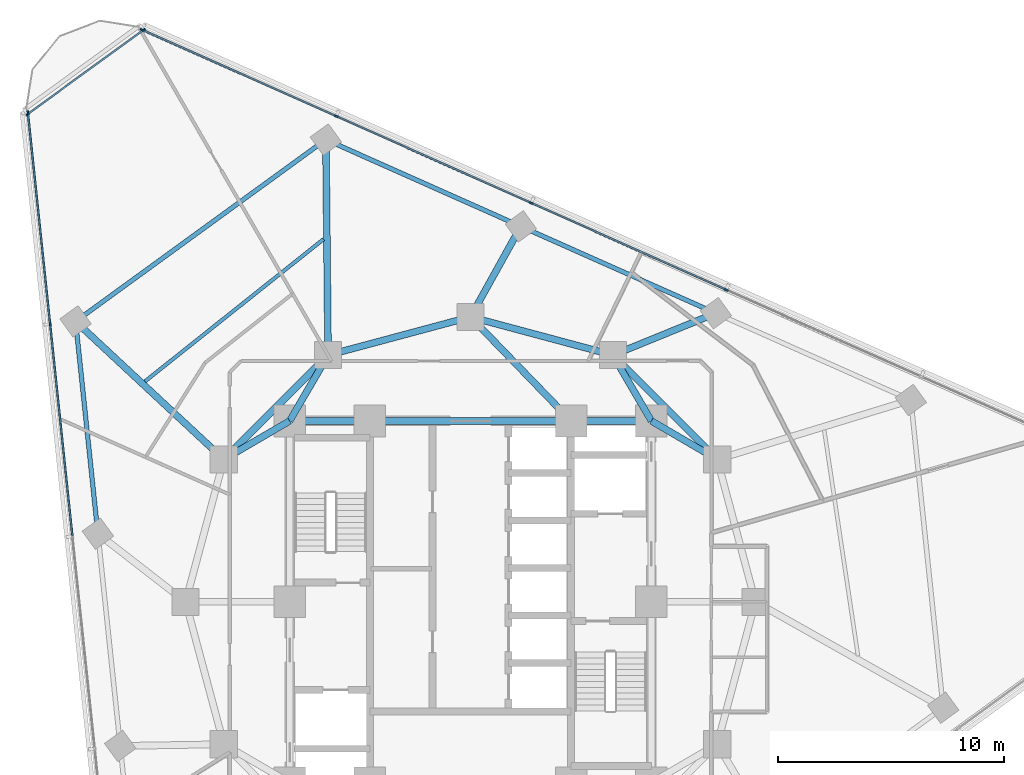
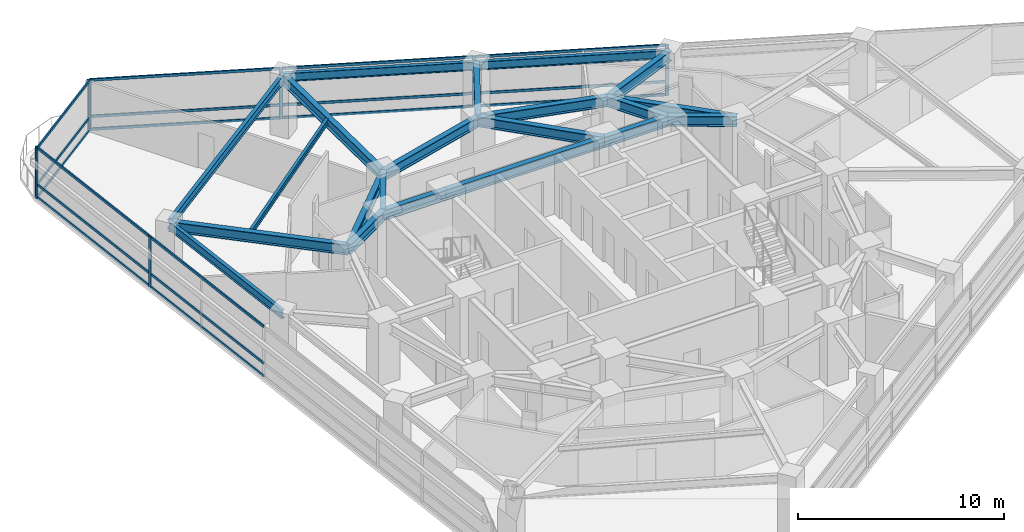
# One storey, part 5 of 14: 26 members, 21 beams, 3 elements without a shape of their own.
"""IFC4 building model written with IfcOpenShell, lengths in metres."""

from ifc_helpers import new_model, si_unit, direction, frame, origin, origin_2d, place, context, subcontext, project, spatial, rectangle, i_section, extrude, material, layer, layer_set, material_profile, profile_set, type_object, element, aggregate, save


model = new_model("IFC4")

# Units and contexts
model_context = context("Model", 3, precision=1e-05, world=origin(), true_north=direction((0.0, 1.0)))
body_context = subcontext(model_context, "Body", "Model", "MODEL_VIEW")
ifc_project = project(units=[si_unit("LENGTHUNIT", "METRE"), si_unit("AREAUNIT", "SQUARE_METRE"), si_unit("VOLUMEUNIT", "CUBIC_METRE"), si_unit("PLANEANGLEUNIT", "RADIAN"), si_unit("MASSUNIT", "GRAM", prefix="KILO")], contexts=[model_context])

# Site, building, storey
site_placement = place(None, origin())
site = spatial("IfcSite", under=ifc_project, at=site_placement, CompositionType="ELEMENT")
building_placement = place(site_placement, origin())
building = spatial("IfcBuilding", under=site, at=building_placement, Name="Terralouvre Media Tower", CompositionType="ELEMENT")
storey_placement = place(building_placement, frame((0.0, 0.0, 154.60009765625)))
storey = spatial("IfcBuildingStorey", under=building, at=storey_placement, Name="L39", CompositionType="ELEMENT", Elevation=154.60009765625)

# Beam
ifc_material_1 = material(Name="Structural steel S355J2", Category="steel")
ifc_material_profile_1 = material_profile(ifc_material_1, i_section(OverallWidth=0.159912109375, OverallDepth=0.330078125, WebThickness=0.007568359375, FlangeThickness=0.011474609375, at=origin_2d()), Name="IPE 330")
ifc_profile_set_1 = profile_set([ifc_material_profile_1], Name="Structural steel S355J2")
beam_type_1 = type_object("IfcBeamType", Name="Composite Floor Joist J-IPE330 (IPE 330)", PredefinedType="JOIST", material=ifc_profile_set_1)
beam_1_placement = place(storey_placement, frame((-6.500732421875, 16.037841796875, 3.3349609375), z_axis=(-0.782373963914, -0.622808943891, 0.0), x_axis=(0.622808943891, -0.782373963914, 0.0)))
element("IfcBeam", 1, at=beam_1_placement, inside=storey, type_object=beam_type_1, Name="L39 Framing Beam JT-L39-05", PredefinedType="JOIST", context=body_context, shape_type="SweptSolid", body=[
    extrude(i_section(OverallWidth=0.159912109375, OverallDepth=0.330078125, WebThickness=0.007568359375, FlangeThickness=0.011474609375, at=origin_2d()), origin(), (0.0, 0.0, 1.0), 10.0966796875),
])

# Curtain wall, members
ifc_material_2 = material(Name="Low-iron laminated double glazing with solar-control coating", Category="glass")
ifc_layer_1 = layer(ifc_material_2, 0.1650390625, Name="Production Studio Tower Curtain Wall CW-03")
ifc_layer_set_1 = layer_set([ifc_layer_1], Name="Low-iron laminated double glazing with solar-control coating")
curtain_wall_type_1 = type_object("IfcCurtainWallType", Name="Production Studio Tower Curtain Wall CW-03", PredefinedType="NOTDEFINED", material=ifc_layer_set_1)
curtain_wall_1_placement = place(storey_placement, origin())
curtain_wall_1 = element("IfcCurtainWall", 2, at=curtain_wall_1_placement, inside=storey, type_object=curtain_wall_type_1, Name="L39 Facade Curtain Wall F1", PredefinedType="NOTDEFINED")
ifc_material_3 = material(Name="Anodised extruded aluminium 6063-T6", Category="aluminium")
ifc_material_profile_2 = material_profile(ifc_material_3, rectangle(XDim=0.074951171875, YDim=0.14990234375, at=origin_2d()), Name="ALU 75x150")
ifc_profile_set_2 = profile_set([ifc_material_profile_2], Name="Anodised extruded aluminium 6063-T6")
member_type_1 = type_object("IfcMemberType", Name="Curtain-Wall Horizontal Transom TR-150", PredefinedType="USERDEFINED", material=ifc_profile_set_2)
member_1_placement = place(storey_placement, frame((11.27587890625, 13.8134765625, 0.037353515625), z_axis=(-0.913546899195, 0.40673340528, 0.0), x_axis=(-0.40673340528, -0.913546899195, 0.0)))
member_1 = element("IfcMember", 3, at=member_1_placement, type_object=member_type_1, Name="CW-03 transom 3.1", ObjectType="TRANSOM", PredefinedType="USERDEFINED", context=body_context, shape_type="SweptSolid", body=[
    extrude(rectangle(XDim=0.074951171875, YDim=0.14990234375, at=origin_2d()), origin(), (0.0, 0.0, 1.0), 9.364990234375),
])
member_2_placement = place(storey_placement, frame((11.27587890625, 13.8134765625, 0.7998046875), z_axis=(-0.913546899195, 0.40673340528, 0.0), x_axis=(-0.40673340528, -0.913546899195, 0.0)))
member_2 = element("IfcMember", 4, at=member_2_placement, type_object=member_type_1, Name="CW-03 transom 3.2", ObjectType="TRANSOM", PredefinedType="USERDEFINED", context=body_context, shape_type="SweptSolid", body=[
    extrude(rectangle(XDim=0.074951171875, YDim=0.14990234375, at=origin_2d()), origin(), (0.0, 0.0, 1.0), 9.364990234375),
])
member_3_placement = place(storey_placement, frame((11.27587890625, 13.8134765625, 2.96240234375), z_axis=(-0.913546899195, 0.40673340528, 0.0), x_axis=(-0.40673340528, -0.913546899195, 0.0)))
member_3 = element("IfcMember", 5, at=member_3_placement, type_object=member_type_1, Name="CW-03 transom 3.3", ObjectType="TRANSOM", PredefinedType="USERDEFINED", context=body_context, shape_type="SweptSolid", body=[
    extrude(rectangle(XDim=0.074951171875, YDim=0.14990234375, at=origin_2d()), origin(), (0.0, 0.0, 1.0), 9.364990234375),
])
member_4_placement = place(storey_placement, frame((2.65185546875, 17.653076171875, 0.037353515625), z_axis=(-0.913546899195, 0.40673340528, 0.0), x_axis=(-0.40673340528, -0.913546899195, 0.0)))
member_4 = element("IfcMember", 6, at=member_4_placement, type_object=member_type_1, Name="CW-03 transom 4.1", ObjectType="TRANSOM", PredefinedType="USERDEFINED", context=body_context, shape_type="SweptSolid", body=[
    extrude(rectangle(XDim=0.074951171875, YDim=0.14990234375, at=origin_2d()), origin(), (0.0, 0.0, 1.0), 9.364990234375),
])
member_5_placement = place(storey_placement, frame((2.65185546875, 17.653076171875, 0.7998046875), z_axis=(-0.913546899195, 0.40673340528, 0.0), x_axis=(-0.40673340528, -0.913546899195, 0.0)))
member_5 = element("IfcMember", 7, at=member_5_placement, type_object=member_type_1, Name="CW-03 transom 4.2", ObjectType="TRANSOM", PredefinedType="USERDEFINED", context=body_context, shape_type="SweptSolid", body=[
    extrude(rectangle(XDim=0.074951171875, YDim=0.14990234375, at=origin_2d()), origin(), (0.0, 0.0, 1.0), 9.364990234375),
])
member_6_placement = place(storey_placement, frame((2.65185546875, 17.653076171875, 2.96240234375), z_axis=(-0.913546899195, 0.40673340528, 0.0), x_axis=(-0.40673340528, -0.913546899195, 0.0)))
member_6 = element("IfcMember", 8, at=member_6_placement, type_object=member_type_1, Name="CW-03 transom 4.3", ObjectType="TRANSOM", PredefinedType="USERDEFINED", context=body_context, shape_type="SweptSolid", body=[
    extrude(rectangle(XDim=0.074951171875, YDim=0.14990234375, at=origin_2d()), origin(), (0.0, 0.0, 1.0), 9.364990234375),
])
member_7_placement = place(storey_placement, frame((-5.971923828125, 21.49267578125, 0.037353515625), z_axis=(-0.913553401339, 0.406718800774, 0.0), x_axis=(-0.406718800774, -0.913553401339, 0.0)))
member_7 = element("IfcMember", 9, at=member_7_placement, type_object=member_type_1, Name="CW-03 transom 5.1", ObjectType="TRANSOM", PredefinedType="USERDEFINED", context=body_context, shape_type="SweptSolid", body=[
    extrude(rectangle(XDim=0.074951171875, YDim=0.14990234375, at=origin_2d()), origin(), (0.0, 0.0, 1.0), 9.32763671875),
])
member_8_placement = place(storey_placement, frame((-5.971923828125, 21.49267578125, 0.7998046875), z_axis=(-0.913553401339, 0.406718800774, 0.0), x_axis=(-0.406718800774, -0.913553401339, 0.0)))
member_8 = element("IfcMember", 10, at=member_8_placement, type_object=member_type_1, Name="CW-03 transom 5.2", ObjectType="TRANSOM", PredefinedType="USERDEFINED", context=body_context, shape_type="SweptSolid", body=[
    extrude(rectangle(XDim=0.074951171875, YDim=0.14990234375, at=origin_2d()), origin(), (0.0, 0.0, 1.0), 9.32763671875),
])
member_9_placement = place(storey_placement, frame((-5.971923828125, 21.49267578125, 2.96240234375), z_axis=(-0.913553401339, 0.406718800774, 0.0), x_axis=(-0.406718800774, -0.913553401339, 0.0)))
member_9 = element("IfcMember", 11, at=member_9_placement, type_object=member_type_1, Name="CW-03 transom 5.3", ObjectType="TRANSOM", PredefinedType="USERDEFINED", context=body_context, shape_type="SweptSolid", body=[
    extrude(rectangle(XDim=0.074951171875, YDim=0.14990234375, at=origin_2d()), origin(), (0.0, 0.0, 1.0), 9.32763671875),
])

curtain_wall_2_placement = place(storey_placement, origin())
curtain_wall_2 = element("IfcCurtainWall", 12, at=curtain_wall_2_placement, inside=storey, type_object=curtain_wall_type_1, Name="L39 Facade Curtain Wall F2", PredefinedType="NOTDEFINED")
member_10_placement = place(storey_placement, frame((-19.5703125, 21.59765625, 0.037353515625), z_axis=(0.104540358364, -0.994520645071, 0.0), x_axis=(0.994520645071, 0.104540358364, 0.0)))
member_10 = element("IfcMember", 13, at=member_10_placement, type_object=member_type_1, Name="CW-03 transom 1.1", ObjectType="TRANSOM", PredefinedType="USERDEFINED", context=body_context, shape_type="SweptSolid", body=[
    extrude(rectangle(XDim=0.074951171875, YDim=0.14990234375, at=origin_2d()), origin(), (0.0, 0.0, 1.0), 9.327392578125),
])
member_11_placement = place(storey_placement, frame((-19.5703125, 21.59765625, 0.7998046875), z_axis=(0.104540358364, -0.994520645071, 0.0), x_axis=(0.994520645071, 0.104540358364, 0.0)))
member_11 = element("IfcMember", 14, at=member_11_placement, type_object=member_type_1, Name="CW-03 transom 1.2", ObjectType="TRANSOM", PredefinedType="USERDEFINED", context=body_context, shape_type="SweptSolid", body=[
    extrude(rectangle(XDim=0.074951171875, YDim=0.14990234375, at=origin_2d()), origin(), (0.0, 0.0, 1.0), 9.327392578125),
])
member_12_placement = place(storey_placement, frame((-19.5703125, 21.59765625, 2.96240234375), z_axis=(0.104540358364, -0.994520645071, 0.0), x_axis=(0.994520645071, 0.104540358364, 0.0)))
member_12 = element("IfcMember", 15, at=member_12_placement, type_object=member_type_1, Name="CW-03 transom 1.3", ObjectType="TRANSOM", PredefinedType="USERDEFINED", context=body_context, shape_type="SweptSolid", body=[
    extrude(rectangle(XDim=0.074951171875, YDim=0.14990234375, at=origin_2d()), origin(), (0.0, 0.0, 1.0), 9.327392578125),
])
member_13_placement = place(storey_placement, frame((-18.58740234375, 12.24658203125, 0.037353515625), z_axis=(0.104538223456, -0.994520869483, 0.0), x_axis=(0.994520869483, 0.104538223456, 0.0)))
member_13 = element("IfcMember", 16, at=member_13_placement, type_object=member_type_1, Name="CW-03 transom 2.1", ObjectType="TRANSOM", PredefinedType="USERDEFINED", context=body_context, shape_type="SweptSolid", body=[
    extrude(rectangle(XDim=0.074951171875, YDim=0.14990234375, at=origin_2d()), origin(), (0.0, 0.0, 1.0), 9.364990234375),
])
member_14_placement = place(storey_placement, frame((-18.58740234375, 12.24658203125, 0.7998046875), z_axis=(0.104538223456, -0.994520869483, 0.0), x_axis=(0.994520869483, 0.104538223456, 0.0)))
member_14 = element("IfcMember", 17, at=member_14_placement, type_object=member_type_1, Name="CW-03 transom 2.2", ObjectType="TRANSOM", PredefinedType="USERDEFINED", context=body_context, shape_type="SweptSolid", body=[
    extrude(rectangle(XDim=0.074951171875, YDim=0.14990234375, at=origin_2d()), origin(), (0.0, 0.0, 1.0), 9.364990234375),
])
member_15_placement = place(storey_placement, frame((-18.58740234375, 12.24658203125, 2.96240234375), z_axis=(0.104538223456, -0.994520869483, 0.0), x_axis=(0.994520869483, 0.104538223456, 0.0)))
member_15 = element("IfcMember", 18, at=member_15_placement, type_object=member_type_1, Name="CW-03 transom 2.3", ObjectType="TRANSOM", PredefinedType="USERDEFINED", context=body_context, shape_type="SweptSolid", body=[
    extrude(rectangle(XDim=0.074951171875, YDim=0.14990234375, at=origin_2d()), origin(), (0.0, 0.0, 1.0), 9.364990234375),
])

ifc_material_4 = material(Name="Low-iron laminated double glazing with solar-control coating", Category="glass")
ifc_layer_2 = layer(ifc_material_4, 0.1650390625, Name="Rounded Wind-Corner Curved Glazing CW-04")
ifc_layer_set_2 = layer_set([ifc_layer_2], Name="Low-iron laminated double glazing with solar-control coating")
curtain_wall_type_2 = type_object("IfcCurtainWallType", Name="Rounded Wind-Corner Curved Glazing CW-04", PredefinedType="NOTDEFINED", material=ifc_layer_set_2)
curtain_wall_3_placement = place(storey_placement, origin())
curtain_wall_3 = element("IfcCurtainWall", 19, at=curtain_wall_3_placement, inside=storey, type_object=curtain_wall_type_2, Name="L39 Rounded Wind-Corner Curtain Wall C2", PredefinedType="NOTDEFINED")
member_16_placement = place(storey_placement, frame((-14.4912109375, 25.269287109375, 0.037353515625), z_axis=(-0.809012644162, -0.587791239801, 0.0), x_axis=(0.587791239801, -0.809012644162, 0.0)))
member_16 = element("IfcMember", 20, at=member_16_placement, type_object=member_type_1, Name="CW-04 transom 1.1", ObjectType="TRANSOM", PredefinedType="USERDEFINED", context=body_context, shape_type="SweptSolid", body=[
    extrude(rectangle(XDim=0.074951171875, YDim=0.14990234375, at=origin_2d()), origin(), (0.0, 0.0, 1.0), 6.258544921875),
])
member_17_placement = place(storey_placement, frame((-14.4912109375, 25.269287109375, 0.7998046875), z_axis=(-0.809012644162, -0.587791239801, 0.0), x_axis=(0.587791239801, -0.809012644162, 0.0)))
member_17 = element("IfcMember", 21, at=member_17_placement, type_object=member_type_1, Name="CW-04 transom 1.2", ObjectType="TRANSOM", PredefinedType="USERDEFINED", context=body_context, shape_type="SweptSolid", body=[
    extrude(rectangle(XDim=0.074951171875, YDim=0.14990234375, at=origin_2d()), origin(), (0.0, 0.0, 1.0), 6.258544921875),
])
member_18_placement = place(storey_placement, frame((-14.4912109375, 25.269287109375, 2.96240234375), z_axis=(-0.809012644162, -0.587791239801, 0.0), x_axis=(0.587791239801, -0.809012644162, 0.0)))
member_18 = element("IfcMember", 22, at=member_18_placement, type_object=member_type_1, Name="CW-04 transom 1.3", ObjectType="TRANSOM", PredefinedType="USERDEFINED", context=body_context, shape_type="SweptSolid", body=[
    extrude(rectangle(XDim=0.074951171875, YDim=0.14990234375, at=origin_2d()), origin(), (0.0, 0.0, 1.0), 6.258544921875),
])

# Member
ifc_material_5 = material(Name="Anodised extruded aluminium 6063-T6", Category="aluminium")
ifc_material_profile_3 = material_profile(ifc_material_5, rectangle(XDim=0.074951171875, YDim=0.179931640625, at=origin_2d()), Name="ALU 75x180")
ifc_profile_set_3 = profile_set([ifc_material_profile_3], Name="Anodised extruded aluminium 6063-T6")
member_type_2 = type_object("IfcMemberType", Name="Curtain-Wall Vertical Mullion ML-180", PredefinedType="MULLION", material=ifc_profile_set_3)
member_19_placement = place(storey_placement, frame((11.31005859375, 13.798095703125, 0.0), z_axis=(0.0, 0.0, 1.0), x_axis=(-0.406736616337, -0.913545469547, 0.0)))
member_19 = element("IfcMember", 23, at=member_19_placement, type_object=member_type_2, Name="CW-03 mullion 3", PredefinedType="MULLION", context=body_context, shape_type="SweptSolid", body=[
    extrude(rectangle(XDim=0.074951171875, YDim=0.179931640625, at=origin_2d()), origin(), (0.0, 0.0, 1.0), 3.0),
])

member_20_placement = place(storey_placement, frame((2.686279296875, 17.6376953125, 0.0), z_axis=(0.0, 0.0, 1.0), x_axis=(-0.406736616337, -0.913545469547, 0.0)))
member_20 = element("IfcMember", 24, at=member_20_placement, type_object=member_type_2, Name="CW-03 mullion 4", PredefinedType="MULLION", context=body_context, shape_type="SweptSolid", body=[
    extrude(rectangle(XDim=0.074951171875, YDim=0.179931640625, at=origin_2d()), origin(), (0.0, 0.0, 1.0), 3.0),
])

member_21_placement = place(storey_placement, frame((-5.937744140625, 21.477294921875, 0.0), z_axis=(0.0, 0.0, 1.0), x_axis=(-0.406736616337, -0.913545469547, 0.0)))
member_21 = element("IfcMember", 25, at=member_21_placement, type_object=member_type_2, Name="CW-03 mullion 5", PredefinedType="MULLION", context=body_context, shape_type="SweptSolid", body=[
    extrude(rectangle(XDim=0.074951171875, YDim=0.179931640625, at=origin_2d()), origin(), (0.0, 0.0, 1.0), 3.0),
])

member_22_placement = place(storey_placement, frame((-14.52734375, 25.3017578125, 0.0), z_axis=(0.0, 0.0, 1.0), x_axis=(-0.406736616337, -0.913545469547, 0.0)))
member_22 = element("IfcMember", 26, at=member_22_placement, type_object=member_type_2, Name="CW-03 mullion 6", PredefinedType="MULLION", context=body_context, shape_type="SweptSolid", body=[
    extrude(rectangle(XDim=0.074951171875, YDim=0.179931640625, at=origin_2d()), origin(), (0.0, 0.0, 1.0), 3.0),
])

aggregate(curtain_wall_1, [member_19, member_20, member_21, member_22, member_1, member_2, member_3, member_4, member_5, member_6, member_7, member_8, member_9])

member_23_placement = place(storey_placement, frame((-19.57421875, 21.635009765625, 0.0), z_axis=(0.0, 0.0, 1.0), x_axis=(0.994521904516, 0.104528376236, 0.0)))
member_23 = element("IfcMember", 27, at=member_23_placement, type_object=member_type_2, Name="CW-03 mullion 1", PredefinedType="MULLION", context=body_context, shape_type="SweptSolid", body=[
    extrude(rectangle(XDim=0.074951171875, YDim=0.179931640625, at=origin_2d()), origin(), (0.0, 0.0, 1.0), 3.0),
])

member_24_placement = place(storey_placement, frame((-18.59130859375, 12.283935546875, 0.0), z_axis=(0.0, 0.0, 1.0), x_axis=(0.994521904516, 0.104528376236, 0.0)))
member_24 = element("IfcMember", 28, at=member_24_placement, type_object=member_type_2, Name="CW-03 mullion 2", PredefinedType="MULLION", context=body_context, shape_type="SweptSolid", body=[
    extrude(rectangle(XDim=0.074951171875, YDim=0.179931640625, at=origin_2d()), origin(), (0.0, 0.0, 1.0), 3.0),
])

aggregate(curtain_wall_2, [member_23, member_24, member_10, member_11, member_12, member_13, member_14, member_15])

member_25_placement = place(storey_placement, frame((-14.4609375, 25.291259765625, 0.0), z_axis=(0.0, 0.0, 1.0), x_axis=(0.587784641221, -0.809017438344, 0.0)))
member_25 = element("IfcMember", 29, at=member_25_placement, type_object=member_type_2, Name="CW-04 mullion 1", PredefinedType="MULLION", context=body_context, shape_type="SweptSolid", body=[
    extrude(rectangle(XDim=0.074951171875, YDim=0.179931640625, at=origin_2d()), origin(), (0.0, 0.0, 1.0), 3.0),
])

member_26_placement = place(storey_placement, frame((-19.584716796875, 21.568603515625, 0.0), z_axis=(0.0, 0.0, 1.0), x_axis=(0.587784641221, -0.809017438344, 0.0)))
member_26 = element("IfcMember", 30, at=member_26_placement, type_object=member_type_2, Name="CW-04 mullion 2", PredefinedType="MULLION", context=body_context, shape_type="SweptSolid", body=[
    extrude(rectangle(XDim=0.074951171875, YDim=0.179931640625, at=origin_2d()), origin(), (0.0, 0.0, 1.0), 3.0),
])

aggregate(curtain_wall_3, [member_25, member_26, member_16, member_17, member_18])

# Beams
ifc_material_6 = material(Name="Structural steel S355J2", Category="steel")
ifc_material_profile_4 = material_profile(ifc_material_6, i_section(OverallWidth=0.199951171875, OverallDepth=0.5, WebThickness=0.01025390625, FlangeThickness=0.01611328125, at=origin_2d()), Name="IPE 500")
ifc_profile_set_4 = profile_set([ifc_material_profile_4], Name="Structural steel S355J2")
beam_type_2 = type_object("IfcBeamType", Name="Perimeter Spandrel Beam SPB-500 (IPE 500)", PredefinedType="SPANDREL", material=ifc_profile_set_4)
for number, where, z_axis, x_axis, name in (
    (31, (10.850341796875, 12.765869140625, 3.25), (-0.913543659167, 0.406740682494, 0.0), (-0.406740682494, -0.913543659167, 0.0), "L39 Framing Beam BM-L39-PR08"),
    (32, (2.2265625, 16.60546875, 3.25), (-0.913543659167, 0.406740682494, 0.0), (-0.406740682494, -0.913543659167, 0.0), "L39 Framing Beam BM-L39-PR09"),
):
    element("IfcBeam", number, at=place(storey_placement, frame(where, z_axis=z_axis, x_axis=x_axis)), inside=storey, type_object=beam_type_2, Name=name, PredefinedType="SPANDREL", context=body_context, shape_type="SweptSolid", body=[
        extrude(i_section(OverallWidth=0.199951171875, OverallDepth=0.5, WebThickness=0.01025390625, FlangeThickness=0.01611328125, at=origin_2d()), origin(), (0.0, 0.0, 1.0), 9.43994140625),
    ])
beam_2_placement = place(storey_placement, frame((-6.397216796875, 20.445068359375, 3.25), z_axis=(-0.80901991627, -0.587781230628, 0.0), x_axis=(0.587781230628, -0.80901991627, 0.0)))
element("IfcBeam", 33, at=beam_2_placement, inside=storey, type_object=beam_type_2, Name="L39 Framing Beam BM-L39-PR10", PredefinedType="SPANDREL", context=body_context, shape_type="SweptSolid", body=[
    extrude(i_section(OverallWidth=0.199951171875, OverallDepth=0.5, WebThickness=0.01025390625, FlangeThickness=0.01611328125, at=origin_2d()), origin(), (0.0, 0.0, 1.0), 13.68359375),
])
beam_3_placement = place(storey_placement, frame((-17.467529296875, 12.402099609375, 3.25), z_axis=(0.10453669331, -0.994521030321, 0.0), x_axis=(0.994521030321, 0.10453669331, 0.0)))
element("IfcBeam", 34, at=beam_3_placement, inside=storey, type_object=beam_type_2, Name="L39 Framing Beam BM-L39-PR11", PredefinedType="SPANDREL", context=body_context, shape_type="SweptSolid", body=[
    extrude(i_section(OverallWidth=0.199951171875, OverallDepth=0.5, WebThickness=0.01025390625, FlangeThickness=0.01611328125, at=origin_2d()), origin(), (0.0, 0.0, 1.0), 9.43994140625),
])
ifc_material_7 = material(Name="Structural steel S460M", Category="steel")
ifc_material_profile_5 = material_profile(ifc_material_7, i_section(OverallWidth=0.300048828125, OverallDepth=0.60009765625, WebThickness=0.015380859375, FlangeThickness=0.030029296875, at=origin_2d()), Name="HEB 600")
ifc_profile_set_5 = profile_set([ifc_material_profile_5], Name="Structural steel S460M")
beam_type_3 = type_object("IfcBeamType", Name="Primary Floor Girder B-HEB600 (HEB 600)", PredefinedType="BEAM", material=ifc_profile_set_5)
beam_4_placement = place(storey_placement, frame((8.0, 8.0, 3.199951171875), z_axis=(-1.0, 0.0, 0.0), x_axis=(0.0, -1.0, 0.0)))
element("IfcBeam", 35, at=beam_4_placement, inside=storey, type_object=beam_type_3, Name="L39 Framing Beam BM-L39-CPR06", PredefinedType="BEAM", context=body_context, shape_type="SweptSolid", body=[
    extrude(i_section(OverallWidth=0.300048828125, OverallDepth=0.60009765625, WebThickness=0.015380859375, FlangeThickness=0.030029296875, at=origin_2d()), origin(), (0.0, 0.0, 1.0), 3.550048828125),
])
beam_5_placement = place(storey_placement, frame((4.449951171875, 8.0, 3.199951171875), z_axis=(-1.0, 0.0, 0.0), x_axis=(0.0, -1.0, 0.0)))
element("IfcBeam", 36, at=beam_5_placement, inside=storey, type_object=beam_type_3, Name="L39 Framing Beam BM-L39-CPR07", PredefinedType="BEAM", context=body_context, shape_type="SweptSolid", body=[
    extrude(i_section(OverallWidth=0.300048828125, OverallDepth=0.60009765625, WebThickness=0.015380859375, FlangeThickness=0.030029296875, at=origin_2d()), origin(), (0.0, 0.0, 1.0), 8.89990234375),
])
beam_6_placement = place(storey_placement, frame((-4.449951171875, 8.0, 3.199951171875), z_axis=(-1.0, 0.0, 0.0), x_axis=(0.0, -1.0, 0.0)))
element("IfcBeam", 37, at=beam_6_placement, inside=storey, type_object=beam_type_3, Name="L39 Framing Beam BM-L39-CPR08", PredefinedType="BEAM", context=body_context, shape_type="SweptSolid", body=[
    extrude(i_section(OverallWidth=0.300048828125, OverallDepth=0.60009765625, WebThickness=0.015380859375, FlangeThickness=0.030029296875, at=origin_2d()), origin(), (0.0, 0.0, 1.0), 3.550048828125),
])
beam_7_placement = place(storey_placement, frame((10.911865234375, 6.300048828125, 3.199951171875), z_axis=(-0.707106781187, 0.707106781187, 0.0), x_axis=(-0.707106781187, -0.707106781187, 0.0)))
element("IfcBeam", 38, at=beam_7_placement, inside=storey, type_object=beam_type_3, Name="L39 Framing Beam BM-L39-MR07", PredefinedType="BEAM", context=body_context, shape_type="SweptSolid", body=[
    extrude(i_section(OverallWidth=0.300048828125, OverallDepth=0.60009765625, WebThickness=0.015380859375, FlangeThickness=0.030029296875, at=origin_2d()), origin(), (0.0, 0.0, 1.0), 6.52197265625),
])
for number, where, z_axis, x_axis, name in (
    (39, (6.300048828125, 10.911865234375, 3.199951171875), (-0.965920481897, 0.258838989821, 0.0), (-0.258838989821, -0.965920481897, 0.0), "L39 Framing Beam BM-L39-MR08"),
    (40, (0.0, 12.60009765625, 3.199951171875), (-0.965920481897, -0.258838989821, 0.0), (0.258838989821, -0.965920481897, 0.0), "L39 Framing Beam BM-L39-MR09"),
):
    element("IfcBeam", number, at=place(storey_placement, frame(where, z_axis=z_axis, x_axis=x_axis)), inside=storey, type_object=beam_type_3, Name=name, PredefinedType="BEAM", context=body_context, shape_type="SweptSolid", body=[
        extrude(i_section(OverallWidth=0.300048828125, OverallDepth=0.60009765625, WebThickness=0.015380859375, FlangeThickness=0.030029296875, at=origin_2d()), origin(), (0.0, 0.0, 1.0), 6.522216796875),
    ])
beam_8_placement = place(storey_placement, frame((-6.300048828125, 10.911865234375, 3.199951171875), z_axis=(-0.707106781187, -0.707106781187, 0.0), x_axis=(0.707106781187, -0.707106781187, 0.0)))
element("IfcBeam", 41, at=beam_8_placement, inside=storey, type_object=beam_type_3, Name="L39 Framing Beam BM-L39-MR10", PredefinedType="BEAM", context=body_context, shape_type="SweptSolid", body=[
    extrude(i_section(OverallWidth=0.300048828125, OverallDepth=0.60009765625, WebThickness=0.015380859375, FlangeThickness=0.030029296875, at=origin_2d()), origin(), (0.0, 0.0, 1.0), 6.52197265625),
])
for number, where, z_axis, x_axis, name in (
    (42, (8.0, 8.0, 3.199951171875), (0.863602894532, -0.504172629717, 0.0), (0.504172629717, 0.863602894532, 0.0), "L39 Framing Beam BM-L39-CM07"),
    (43, (8.0, 8.0, 3.199951171875), (-0.504172629717, 0.863602894532, 0.0), (-0.863602894532, -0.504172629717, 0.0), "L39 Framing Beam BM-L39-CM08"),
):
    element("IfcBeam", number, at=place(storey_placement, frame(where, z_axis=z_axis, x_axis=x_axis)), inside=storey, type_object=beam_type_3, Name=name, PredefinedType="BEAM", context=body_context, shape_type="SweptSolid", body=[
        extrude(i_section(OverallWidth=0.300048828125, OverallDepth=0.60009765625, WebThickness=0.015380859375, FlangeThickness=0.030029296875, at=origin_2d()), origin(), (0.0, 0.0, 1.0), 3.371826171875),
    ])
beam_9_placement = place(storey_placement, frame((4.449951171875, 8.0, 3.199951171875), z_axis=(-0.695279715726, 0.718739255155, 0.0), x_axis=(-0.718739255155, -0.695279715726, 0.0)))
element("IfcBeam", 44, at=beam_9_placement, inside=storey, type_object=beam_type_3, Name="L39 Framing Beam BM-L39-CM09", PredefinedType="BEAM", context=body_context, shape_type="SweptSolid", body=[
    extrude(i_section(OverallWidth=0.300048828125, OverallDepth=0.60009765625, WebThickness=0.015380859375, FlangeThickness=0.030029296875, at=origin_2d()), origin(), (0.0, 0.0, 1.0), 6.400146484375),
])
for number, where, z_axis, x_axis, name in (
    (45, (-8.0, 8.0, 3.199951171875), (0.504172629717, 0.863602894532, 0.0), (-0.863602894532, 0.504172629717, 0.0), "L39 Framing Beam BM-L39-CM10"),
    (46, (-8.0, 8.0, 3.199951171875), (-0.863602894532, -0.504172629717, 0.0), (0.504172629717, -0.863602894532, 0.0), "L39 Framing Beam BM-L39-CM11"),
):
    element("IfcBeam", number, at=place(storey_placement, frame(where, z_axis=z_axis, x_axis=x_axis)), inside=storey, type_object=beam_type_3, Name=name, PredefinedType="BEAM", context=body_context, shape_type="SweptSolid", body=[
        extrude(i_section(OverallWidth=0.300048828125, OverallDepth=0.60009765625, WebThickness=0.015380859375, FlangeThickness=0.030029296875, at=origin_2d()), origin(), (0.0, 0.0, 1.0), 3.371826171875),
    ])
beam_10_placement = place(storey_placement, frame((6.300048828125, 10.911865234375, 3.199951171875), z_axis=(0.926079498884, 0.377328453403, 0.0), x_axis=(-0.377328453403, 0.926079498884, 0.0)))
element("IfcBeam", 47, at=beam_10_placement, inside=storey, type_object=beam_type_3, Name="L39 Framing Beam BM-L39-RD08", PredefinedType="BEAM", context=body_context, shape_type="SweptSolid", body=[
    extrude(i_section(OverallWidth=0.300048828125, OverallDepth=0.60009765625, WebThickness=0.015380859375, FlangeThickness=0.030029296875, at=origin_2d()), origin(), (0.0, 0.0, 1.0), 4.91357421875),
])
beam_11_placement = place(storey_placement, frame((0.0, 12.60009765625, 3.199951171875), z_axis=(0.485869082881, 0.874031597999, 0.0), x_axis=(-0.874031597999, 0.485869082881, 0.0)))
element("IfcBeam", 48, at=beam_11_placement, inside=storey, type_object=beam_type_3, Name="L39 Framing Beam BM-L39-RD09", PredefinedType="BEAM", context=body_context, shape_type="SweptSolid", body=[
    extrude(i_section(OverallWidth=0.300048828125, OverallDepth=0.60009765625, WebThickness=0.015380859375, FlangeThickness=0.030029296875, at=origin_2d()), origin(), (0.0, 0.0, 1.0), 4.58251953125),
])
beam_12_placement = place(storey_placement, frame((-6.300048828125, 10.911865234375, 3.199951171875), z_axis=(-0.010192054081, 0.999948059668, 0.0), x_axis=(-0.999948059668, -0.010192054081, 0.0)))
element("IfcBeam", 49, at=beam_12_placement, inside=storey, type_object=beam_type_3, Name="L39 Framing Beam BM-L39-RD10", PredefinedType="BEAM", context=body_context, shape_type="SweptSolid", body=[
    extrude(i_section(OverallWidth=0.300048828125, OverallDepth=0.60009765625, WebThickness=0.015380859375, FlangeThickness=0.030029296875, at=origin_2d()), origin(), (0.0, 0.0, 1.0), 9.53369140625),
])
beam_13_placement = place(storey_placement, frame((-10.911865234375, 6.300048828125, 3.199951171875), z_axis=(-0.731977414873, 0.6813288957, 0.0), x_axis=(-0.6813288957, -0.731977414873, 0.0)))
element("IfcBeam", 50, at=beam_13_placement, inside=storey, type_object=beam_type_3, Name="L39 Framing Beam BM-L39-RD11", PredefinedType="BEAM", context=body_context, shape_type="SweptSolid", body=[
    extrude(i_section(OverallWidth=0.300048828125, OverallDepth=0.60009765625, WebThickness=0.015380859375, FlangeThickness=0.030029296875, at=origin_2d()), origin(), (0.0, 0.0, 1.0), 8.9560546875),
])

save(model, "model.ifc")
